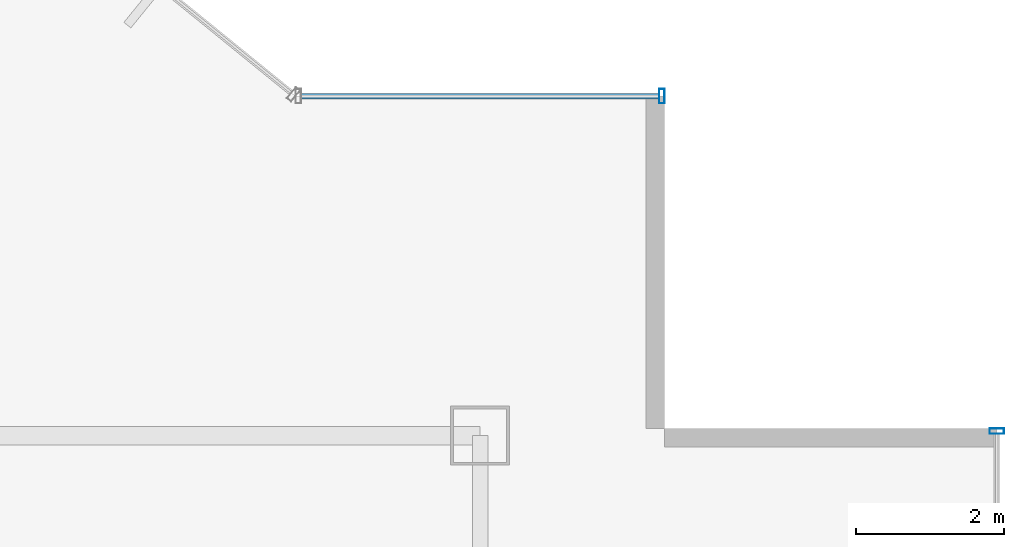
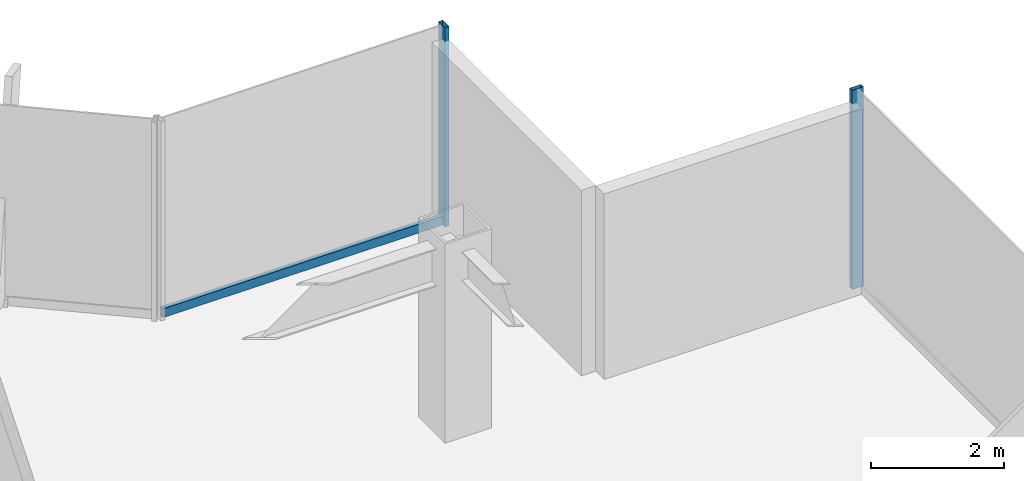
# One storey, part 19 of 26: 3 members, 2 elements without a shape of their own.
"""IFC4 building model written with IfcOpenShell, lengths in metres."""

from ifc_helpers import new_model, si_unit, derived_unit, direction, frame, origin, origin_2d, place, context, subcontext, project, spatial, hollow_rectangle, extrude, source, transform, mapped, material, material_profile, profile_set, type_object, element, aggregate, save


model = new_model("IFC4")

# Units and contexts
model_context = context("Model", 3, precision=1e-05, world=origin(), true_north=direction((0.0, 1.0)))
body_context = subcontext(model_context, "Body", "Model", "MODEL_VIEW")
ifc_project = project(units=[si_unit("LENGTHUNIT", "METRE"), si_unit("AREAUNIT", "SQUARE_METRE"), si_unit("VOLUMEUNIT", "CUBIC_METRE"), si_unit("PLANEANGLEUNIT", "RADIAN"), si_unit("MASSUNIT", "GRAM", prefix="KILO"), derived_unit("THERMALTRANSMITTANCEUNIT", [(si_unit("POWERUNIT", "WATT"), 1), (si_unit("LENGTHUNIT", "METRE"), -2), (si_unit("THERMODYNAMICTEMPERATUREUNIT", "KELVIN"), -1)])], contexts=[model_context])

# Site, building, storey
site_placement = place(None, origin())
site = spatial("IfcSite", under=ifc_project, at=site_placement, CompositionType="ELEMENT")
building_placement = place(site_placement, origin())
building = spatial("IfcBuilding", under=site, at=building_placement, Name="Skarnbrae Concourse Arena and Tower", CompositionType="ELEMENT")
storey_placement = place(building_placement, frame((0.0, 0.0, 117.85009765625)))
storey = spatial("IfcBuildingStorey", under=building, at=storey_placement, Name="L29", CompositionType="ELEMENT", Elevation=117.85009765625)

# Curtain wall, member
ifc_material = material(Name="Bronze anodised aluminium 6063-T6", Category="aluminium")
curtain_wall_type = type_object("IfcCurtainWallType", Name="CW-SYS-04-MIDZONE", PredefinedType="USERDEFINED", material=ifc_material)
curtain_wall_1_placement = place(storey_placement, origin())
curtain_wall_1 = element("IfcCurtainWall", 1, at=curtain_wall_1_placement, inside=storey, type_object=curtain_wall_type, Name="L29 Unitised curtain wall CW-L29-E07", ObjectType="UNITISED CURTAIN WALL", PredefinedType="USERDEFINED")
ifc_material_profile_1 = material_profile(ifc_material, hollow_rectangle(XDim=0.074951171875, YDim=0.159912109375, WallThickness=0.00439453125, at=origin_2d()), Name="ALU-TRAN-75X160")
ifc_profile_set_1 = profile_set([ifc_material_profile_1], Name="Bronze anodised aluminium 6063-T6")
member_type_1 = type_object("IfcMemberType", Name="CWT-CW-04", PredefinedType="USERDEFINED", material=ifc_profile_set_1)
shared_shape_1 = source(origin(), body_context, "Body", "SweptSolid", [
    extrude(hollow_rectangle(XDim=0.074951171875, YDim=0.159912109375, WallThickness=0.00439453125, at=origin_2d()), origin(), (0.0, 0.0, 1.0), 4.85009765625),
])
member_1_placement = place(storey_placement, frame((51.425048828125, 39.0, 0.079833984375), z_axis=(-1.0, 0.0, 0.0), x_axis=(0.0, -1.0, 0.0)))
member_1 = element("IfcMember", 2, at=member_1_placement, type_object=member_type_1, Name="CW-L29-E07 Transom 1", ObjectType="TRANSOM", PredefinedType="USERDEFINED", context=body_context, shape_type="MappedRepresentation", body=[
    mapped(shared_shape_1, transform((0.0, 0.0, 0.0))),
])

curtain_wall_2_placement = place(storey_placement, origin())
curtain_wall_2 = element("IfcCurtainWall", 3, at=curtain_wall_2_placement, inside=storey, type_object=curtain_wall_type, Name="L29 Unitised curtain wall CW-L29-E04", ObjectType="UNITISED CURTAIN WALL", PredefinedType="USERDEFINED")
ifc_material_profile_2 = material_profile(ifc_material, hollow_rectangle(XDim=0.074951171875, YDim=0.195068359375, WallThickness=0.00439453125, at=origin_2d()), Name="ALU-MULL-75X195")
ifc_profile_set_2 = profile_set([ifc_material_profile_2], Name="Bronze anodised aluminium 6063-T6")
member_type_2 = type_object("IfcMemberType", Name="CWM-CW-04", PredefinedType="MULLION", material=ifc_profile_set_2)
shared_shape_2 = source(origin(), body_context, "Body", "SweptSolid", [
    extrude(hollow_rectangle(XDim=0.074951171875, YDim=0.195068359375, WallThickness=0.00439453125, at=origin_2d()), origin(), (0.0, 0.0, 1.0), 3.64990234375),
])
member_2_placement = place(storey_placement, frame((56.0, 34.46240234375, 0.0), z_axis=(0.0, 0.0, 1.0), x_axis=(0.0, 1.0, 0.0)))
member_2 = element("IfcMember", 4, at=member_2_placement, type_object=member_type_2, Name="CW-L29-E04 Mullion 5", PredefinedType="MULLION", context=body_context, shape_type="MappedRepresentation", body=[
    mapped(shared_shape_2, transform((0.0, 0.0, 0.0))),
])
aggregate(curtain_wall_2, [member_2])

# Member
member_3_placement = place(storey_placement, frame((51.46240234375, 39.0, 0.0), z_axis=(0.0, 0.0, 1.0), x_axis=(-1.0, 0.0, 0.0)))
member_3 = element("IfcMember", 5, at=member_3_placement, type_object=member_type_2, Name="CW-L29-E07 Mullion 1", PredefinedType="MULLION", context=body_context, shape_type="MappedRepresentation", body=[
    mapped(shared_shape_2, transform((0.0, 0.0, 0.0))),
])

aggregate(curtain_wall_1, [member_3, member_1])

save(model, "model.ifc")
